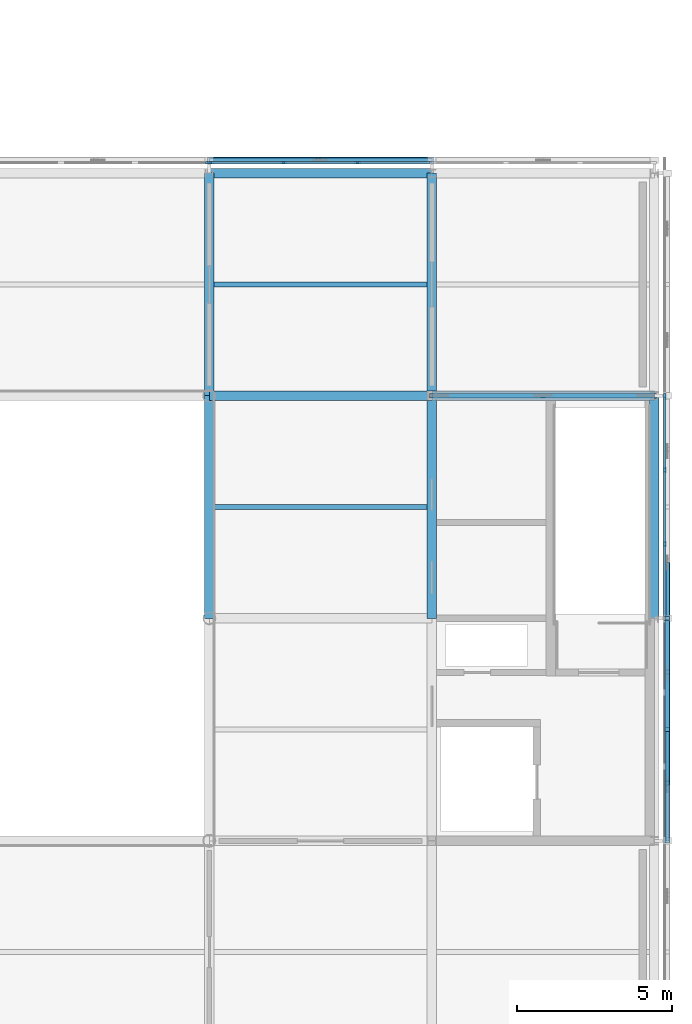
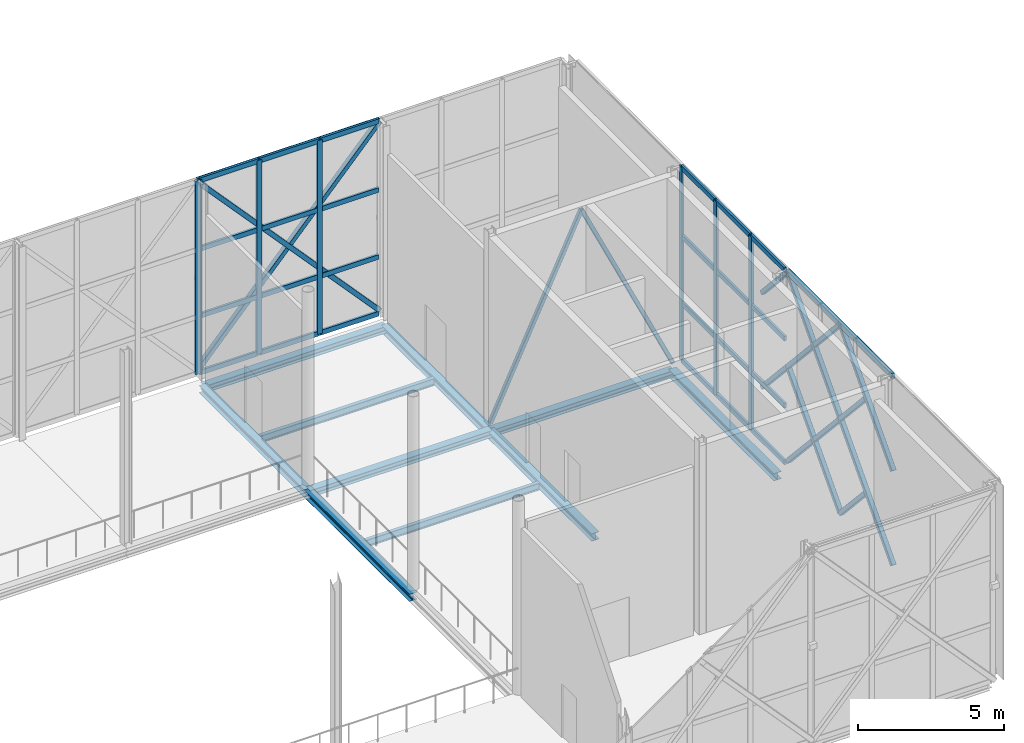
# One storey, part 19 of 76: 50 members, 10 beams, 3 elements without a shape of their own.
"""IFC4 building model written with IfcOpenShell, lengths in metres."""

from ifc_helpers import new_model, si_unit, direction, frame, origin, origin_2d, place, context, subcontext, project, spatial, rectangle, hollow_rectangle, i_section, extrude, material, material_profile, profile_set, type_object, element, aggregate, save


model = new_model("IFC4")

# Units and contexts
model_context = context("Model", 3, precision=1e-05, world=origin(), true_north=direction((0.0, 1.0)))
body_context = subcontext(model_context, "Body", "Model", "MODEL_VIEW")
ifc_project = project(units=[si_unit("LENGTHUNIT", "METRE"), si_unit("AREAUNIT", "SQUARE_METRE"), si_unit("VOLUMEUNIT", "CUBIC_METRE"), si_unit("PLANEANGLEUNIT", "RADIAN"), si_unit("MASSUNIT", "GRAM", prefix="KILO")], contexts=[model_context])

# Site, building, storey
site_placement = place(None, origin())
site = spatial("IfcSite", under=ifc_project, at=site_placement, CompositionType="ELEMENT")
building_placement = place(site_placement, origin())
building = spatial("IfcBuilding", under=site, at=building_placement, Name="Zlatovets Crest Museum", CompositionType="ELEMENT")
storey_placement = place(building_placement, frame((0.0, 0.0, 17.10009765625)))
storey = spatial("IfcBuildingStorey", under=building, at=storey_placement, Name="L04", CompositionType="ELEMENT", Elevation=17.10009765625)

# Beams
ifc_material_1 = material(Name="Structural steel S355J2", Category="steel")
ifc_material_profile_1 = material_profile(ifc_material_1, i_section(OverallWidth=0.300048828125, OverallDepth=0.31005859375, WebThickness=0.009033203125, FlangeThickness=0.015380859375, FilletRadius=0.027099609375, at=origin_2d()), Name="HEA 320")
ifc_profile_set_1 = profile_set([ifc_material_profile_1], Name="Structural steel S355J2")
beam_type_1 = type_object("IfcBeamType", Name="Beam_B-04", PredefinedType="BEAM", material=ifc_profile_set_1)
beam_1_placement = place(storey_placement, frame((93.60009765625, 14.39990234375, -0.39501953125), z_axis=(0.0, 1.0, 0.0), x_axis=(-1.0, 0.0, 0.0)))
element("IfcBeam", 1, at=beam_1_placement, inside=storey, type_object=beam_type_1, Name="V2 L04 Grid Beam B-04", PredefinedType="BEAM", context=body_context, shape_type="SweptSolid", body=[
    extrude(i_section(OverallWidth=0.300048828125, OverallDepth=0.31005859375, WebThickness=0.009033203125, FlangeThickness=0.015380859375, FilletRadius=0.027099609375, at=origin_2d()), origin(), (0.0, 0.0, 1.0), 7.2001953125),
])
beam_2_placement = place(storey_placement, frame((93.60009765625, 21.60009765625, -0.39501953125), z_axis=(0.0, 1.0, 0.0), x_axis=(-1.0, 0.0, 0.0)))
element("IfcBeam", 2, at=beam_2_placement, inside=storey, type_object=beam_type_1, Name="V2 L04 Grid Beam B-04", PredefinedType="BEAM", context=body_context, shape_type="SweptSolid", body=[
    extrude(i_section(OverallWidth=0.300048828125, OverallDepth=0.31005859375, WebThickness=0.009033203125, FlangeThickness=0.015380859375, FilletRadius=0.027099609375, at=origin_2d()), origin(), (0.0, 0.0, 1.0), 7.199951171875),
])
beam_3_placement = place(storey_placement, frame((100.800048828125, 14.39990234375, -0.39501953125), z_axis=(0.0, 1.0, 0.0), x_axis=(-1.0, 0.0, 0.0)))
element("IfcBeam", 3, at=beam_3_placement, inside=storey, type_object=beam_type_1, Name="V2 L04 Grid Beam B-04", PredefinedType="BEAM", context=body_context, shape_type="SweptSolid", body=[
    extrude(i_section(OverallWidth=0.300048828125, OverallDepth=0.31005859375, WebThickness=0.009033203125, FlangeThickness=0.015380859375, FilletRadius=0.027099609375, at=origin_2d()), origin(), (0.0, 0.0, 1.0), 7.2001953125),
])
beam_4_placement = place(storey_placement, frame((100.800048828125, 21.60009765625, -0.39501953125), z_axis=(0.0, 1.0, 0.0), x_axis=(-1.0, 0.0, 0.0)))
element("IfcBeam", 4, at=beam_4_placement, inside=storey, type_object=beam_type_1, Name="V2 L04 Grid Beam B-04", PredefinedType="BEAM", context=body_context, shape_type="SweptSolid", body=[
    extrude(i_section(OverallWidth=0.300048828125, OverallDepth=0.31005859375, WebThickness=0.009033203125, FlangeThickness=0.015380859375, FilletRadius=0.027099609375, at=origin_2d()), origin(), (0.0, 0.0, 1.0), 7.199951171875),
])
beam_5_placement = place(storey_placement, frame((108.0, 14.39990234375, -0.39501953125), z_axis=(0.0, 1.0, 0.0), x_axis=(-1.0, 0.0, 0.0)))
element("IfcBeam", 5, at=beam_5_placement, inside=storey, type_object=beam_type_1, Name="V2 L04 Grid Beam B-04", PredefinedType="BEAM", context=body_context, shape_type="SweptSolid", body=[
    extrude(i_section(OverallWidth=0.300048828125, OverallDepth=0.31005859375, WebThickness=0.009033203125, FlangeThickness=0.015380859375, FilletRadius=0.027099609375, at=origin_2d()), origin(), (0.0, 0.0, 1.0), 7.2001953125),
])
ifc_material_profile_2 = material_profile(ifc_material_1, i_section(OverallWidth=0.300048828125, OverallDepth=0.2900390625, WebThickness=0.008544921875, FlangeThickness=0.013916015625, FilletRadius=0.027099609375, at=origin_2d()), Name="HEA 300")
ifc_profile_set_2 = profile_set([ifc_material_profile_2], Name="Structural steel S355J2")
beam_type_2 = type_object("IfcBeamType", Name="Beam_B-12", PredefinedType="BEAM", material=ifc_profile_set_2)
for number, where, z_axis, x_axis, name in (
    (6, (93.60009765625, 21.60009765625, -0.385009765625), (1.0, 0.0, 0.0), (0.0, 1.0, 0.0), "V2 L04 Primary Girder B-12"),
    (7, (100.800048828125, 21.60009765625, -0.385009765625), (1.0, 0.0, 0.0), (0.0, 1.0, 0.0), "V2 L04 Primary Girder B-12"),
    (8, (93.60009765625, 28.800048828125, -0.385009765625), (1.0, 0.0, 0.0), (0.0, 1.0, 0.0), "V2 L04 Primary Girder B-12"),
):
    element("IfcBeam", number, at=place(storey_placement, frame(where, z_axis=z_axis, x_axis=x_axis)), inside=storey, type_object=beam_type_2, Name=name, PredefinedType="BEAM", context=body_context, shape_type="SweptSolid", body=[
        extrude(i_section(OverallWidth=0.300048828125, OverallDepth=0.2900390625, WebThickness=0.008544921875, FlangeThickness=0.013916015625, FilletRadius=0.027099609375, at=origin_2d()), origin(), (0.0, 0.0, 1.0), 7.199951171875),
    ])
ifc_material_profile_3 = material_profile(ifc_material_1, i_section(OverallWidth=0.14990234375, OverallDepth=0.300048828125, WebThickness=0.007080078125, FlangeThickness=0.0107421875, FilletRadius=0.014892578125, at=origin_2d()), Name="IPE 300")
ifc_profile_set_3 = profile_set([ifc_material_profile_3], Name="Structural steel S355J2")
beam_type_3 = type_object("IfcBeamType", Name="Beam_J-02", PredefinedType="JOIST", material=ifc_profile_set_3)
for number, where, z_axis, x_axis, name in (
    (9, (93.75, 18.0, -0.39013671875), (1.0, 0.0, 0.0), (0.0, 1.0, 0.0), "V2 L04 Composite Joist J-02"),
    (10, (93.75, 25.199951171875, -0.39013671875), (1.0, 0.0, 0.0), (0.0, 1.0, 0.0), "V2 L04 Composite Joist J-02"),
):
    element("IfcBeam", number, at=place(storey_placement, frame(where, z_axis=z_axis, x_axis=x_axis)), inside=storey, type_object=beam_type_3, Name=name, PredefinedType="JOIST", context=body_context, shape_type="SweptSolid", body=[
        extrude(i_section(OverallWidth=0.14990234375, OverallDepth=0.300048828125, WebThickness=0.007080078125, FlangeThickness=0.0107421875, FilletRadius=0.014892578125, at=origin_2d()), origin(), (0.0, 0.0, 1.0), 6.89990234375),
    ])

# Curtain wall, members
ifc_material_2 = material(Name="Bronze-anodised aluminium and low-E triple glass", Category="aluminium")
curtain_wall_type_1 = type_object("IfcCurtainWallType", Name="CW_CW-V2-L04-M1", PredefinedType="NOTDEFINED", material=ifc_material_2)
curtain_wall_1_placement = place(storey_placement, origin())
curtain_wall_1 = element("IfcCurtainWall", 11, at=curtain_wall_1_placement, inside=storey, type_object=curtain_wall_type_1, Name="V2 L04 Expressed Core Glazed Facade", PredefinedType="NOTDEFINED")
ifc_material_3 = material(Name="Bronze-anodised aluminium EN AW-6060", Category="aluminium")
ifc_material_profile_4 = material_profile(ifc_material_3, rectangle(XDim=0.090087890625, YDim=0.199951171875, at=origin_2d()), Name="ALU 90x200")
ifc_profile_set_4 = profile_set([ifc_material_profile_4], Name="Bronze-anodised aluminium EN AW-6060")
member_type_1 = type_object("IfcMemberType", Name="CWMull_M2", PredefinedType="MULLION", material=ifc_profile_set_4)
member_1_placement = place(storey_placement, frame((108.340087890625, 16.800048828125, 0.0), z_axis=(0.0, 0.0, 1.0), x_axis=(-1.0, 0.0, 0.0)))
member_1 = element("IfcMember", 12, at=member_1_placement, type_object=member_type_1, Name="CW-V2-L04-M1 mullion 2", PredefinedType="MULLION", context=body_context, shape_type="SweptSolid", body=[
    extrude(rectangle(XDim=0.090087890625, YDim=0.199951171875, at=origin_2d()), origin(), (0.0, 0.0, 1.0), 8.099853515625),
])
member_2_placement = place(storey_placement, frame((108.340087890625, 19.199951171875, 0.0), z_axis=(0.0, 0.0, 1.0), x_axis=(-1.0, 0.0, 0.0)))
member_2 = element("IfcMember", 13, at=member_2_placement, type_object=member_type_1, Name="CW-V2-L04-M1 mullion 3", PredefinedType="MULLION", context=body_context, shape_type="SweptSolid", body=[
    extrude(rectangle(XDim=0.090087890625, YDim=0.199951171875, at=origin_2d()), origin(), (0.0, 0.0, 1.0), 8.099853515625),
])
member_3_placement = place(storey_placement, frame((108.340087890625, 21.570068359375, 0.0), z_axis=(0.0, 0.0, 1.0), x_axis=(-1.0, 0.0, 0.0)))
member_3 = element("IfcMember", 14, at=member_3_placement, type_object=member_type_1, Name="CW-V2-L04-M1 mullion 4", PredefinedType="MULLION", context=body_context, shape_type="SweptSolid", body=[
    extrude(rectangle(XDim=0.090087890625, YDim=0.199951171875, at=origin_2d()), origin(), (0.0, 0.0, 1.0), 8.099853515625),
])

curtain_wall_type_2 = type_object("IfcCurtainWallType", Name="CW_CW-V2-L04-M0", PredefinedType="NOTDEFINED", material=ifc_material_2)
curtain_wall_2_placement = place(storey_placement, origin())
curtain_wall_2 = element("IfcCurtainWall", 15, at=curtain_wall_2_placement, inside=storey, type_object=curtain_wall_type_2, Name="V2 L04 Secession Foyer Clear Curtain Wall", PredefinedType="NOTDEFINED")
member_4_placement = place(storey_placement, frame((98.39990234375, 29.139892578125, 0.0), z_axis=(0.0, 0.0, 1.0), x_axis=(0.0, -1.0, 0.0)))
member_4 = element("IfcMember", 16, at=member_4_placement, type_object=member_type_1, Name="CW-V2-L04-M0 mullion 2", PredefinedType="MULLION", context=body_context, shape_type="SweptSolid", body=[
    extrude(rectangle(XDim=0.090087890625, YDim=0.199951171875, at=origin_2d()), origin(), (0.0, 0.0, 1.0), 8.099853515625),
])
member_5_placement = place(storey_placement, frame((96.0, 29.139892578125, 0.0), z_axis=(0.0, 0.0, 1.0), x_axis=(0.0, -1.0, 0.0)))
member_5 = element("IfcMember", 17, at=member_5_placement, type_object=member_type_1, Name="CW-V2-L04-M0 mullion 3", PredefinedType="MULLION", context=body_context, shape_type="SweptSolid", body=[
    extrude(rectangle(XDim=0.090087890625, YDim=0.199951171875, at=origin_2d()), origin(), (0.0, 0.0, 1.0), 8.099853515625),
])
member_6_placement = place(storey_placement, frame((93.6298828125, 29.139892578125, 0.0), z_axis=(0.0, 0.0, 1.0), x_axis=(0.0, -1.0, 0.0)))
member_6 = element("IfcMember", 18, at=member_6_placement, type_object=member_type_1, Name="CW-V2-L04-M0 mullion 4", PredefinedType="MULLION", context=body_context, shape_type="SweptSolid", body=[
    extrude(rectangle(XDim=0.090087890625, YDim=0.199951171875, at=origin_2d()), origin(), (0.0, 0.0, 1.0), 8.099853515625),
])

# Curtain wall, member
curtain_wall_3_placement = place(storey_placement, origin())
curtain_wall_3 = element("IfcCurtainWall", 19, at=curtain_wall_3_placement, inside=storey, type_object=curtain_wall_type_1, Name="V2 L04 Secession Foyer Clear Curtain Wall", PredefinedType="NOTDEFINED")
member_7_placement = place(storey_placement, frame((93.570068359375, 29.139892578125, 0.0), z_axis=(0.0, 0.0, 1.0), x_axis=(0.0, -1.0, 0.0)))
member_7 = element("IfcMember", 20, at=member_7_placement, type_object=member_type_1, Name="CW-V2-L04-M1 mullion 1", PredefinedType="MULLION", context=body_context, shape_type="SweptSolid", body=[
    extrude(rectangle(XDim=0.090087890625, YDim=0.199951171875, at=origin_2d()), origin(), (0.0, 0.0, 1.0), 8.099853515625),
])
aggregate(curtain_wall_3, [member_7])

# Member
ifc_material_profile_5 = material_profile(ifc_material_3, rectangle(XDim=0.090087890625, YDim=0.199951171875, at=origin_2d()), Name="ALU 90x200")
ifc_profile_set_5 = profile_set([ifc_material_profile_5], Name="Bronze-anodised aluminium EN AW-6060")
member_type_2 = type_object("IfcMemberType", Name="CWTrans_T2", PredefinedType="USERDEFINED", material=ifc_profile_set_5)
member_8_placement = place(storey_placement, frame((108.340087890625, 14.4599609375, 0.02978515625), z_axis=(0.0, 1.0, 0.0), x_axis=(-1.0, 0.0, 0.0)))
member_8 = element("IfcMember", 21, at=member_8_placement, type_object=member_type_2, Name="CW-V2-L04-M1 transom 1.1", ObjectType="TRANSOM", PredefinedType="USERDEFINED", context=body_context, shape_type="SweptSolid", body=[
    extrude(rectangle(XDim=0.090087890625, YDim=0.199951171875, at=origin_2d()), origin(), (0.0, 0.0, 1.0), 2.31005859375),
])

member_9_placement = place(storey_placement, frame((108.340087890625, 14.4599609375, 2.39990234375), z_axis=(0.0, 1.0, 0.0), x_axis=(-1.0, 0.0, 0.0)))
member_9 = element("IfcMember", 22, at=member_9_placement, type_object=member_type_2, Name="CW-V2-L04-M1 transom 1.2", ObjectType="TRANSOM", PredefinedType="USERDEFINED", context=body_context, shape_type="SweptSolid", body=[
    extrude(rectangle(XDim=0.090087890625, YDim=0.199951171875, at=origin_2d()), origin(), (0.0, 0.0, 1.0), 2.31005859375),
])

member_10_placement = place(storey_placement, frame((108.340087890625, 14.4599609375, 5.199951171875), z_axis=(0.0, 1.0, 0.0), x_axis=(-1.0, 0.0, 0.0)))
member_10 = element("IfcMember", 23, at=member_10_placement, type_object=member_type_2, Name="CW-V2-L04-M1 transom 1.3", ObjectType="TRANSOM", PredefinedType="USERDEFINED", context=body_context, shape_type="SweptSolid", body=[
    extrude(rectangle(XDim=0.090087890625, YDim=0.199951171875, at=origin_2d()), origin(), (0.0, 0.0, 1.0), 2.31005859375),
])

member_11_placement = place(storey_placement, frame((108.340087890625, 14.4599609375, 8.06982421875), z_axis=(0.0, 1.0, 0.0), x_axis=(-1.0, 0.0, 0.0)))
member_11 = element("IfcMember", 24, at=member_11_placement, type_object=member_type_2, Name="CW-V2-L04-M1 transom 1.4", ObjectType="TRANSOM", PredefinedType="USERDEFINED", context=body_context, shape_type="SweptSolid", body=[
    extrude(rectangle(XDim=0.090087890625, YDim=0.199951171875, at=origin_2d()), origin(), (0.0, 0.0, 1.0), 2.31005859375),
])

member_12_placement = place(storey_placement, frame((108.340087890625, 16.830078125, 0.02978515625), z_axis=(0.0, 1.0, 0.0), x_axis=(-1.0, 0.0, 0.0)))
member_12 = element("IfcMember", 25, at=member_12_placement, type_object=member_type_2, Name="CW-V2-L04-M1 transom 2.1", ObjectType="TRANSOM", PredefinedType="USERDEFINED", context=body_context, shape_type="SweptSolid", body=[
    extrude(rectangle(XDim=0.090087890625, YDim=0.199951171875, at=origin_2d()), origin(), (0.0, 0.0, 1.0), 2.33984375),
])

member_13_placement = place(storey_placement, frame((108.340087890625, 16.830078125, 2.39990234375), z_axis=(0.0, 1.0, 0.0), x_axis=(-1.0, 0.0, 0.0)))
member_13 = element("IfcMember", 26, at=member_13_placement, type_object=member_type_2, Name="CW-V2-L04-M1 transom 2.2", ObjectType="TRANSOM", PredefinedType="USERDEFINED", context=body_context, shape_type="SweptSolid", body=[
    extrude(rectangle(XDim=0.090087890625, YDim=0.199951171875, at=origin_2d()), origin(), (0.0, 0.0, 1.0), 2.33984375),
])

member_14_placement = place(storey_placement, frame((108.340087890625, 16.830078125, 5.199951171875), z_axis=(0.0, 1.0, 0.0), x_axis=(-1.0, 0.0, 0.0)))
member_14 = element("IfcMember", 27, at=member_14_placement, type_object=member_type_2, Name="CW-V2-L04-M1 transom 2.3", ObjectType="TRANSOM", PredefinedType="USERDEFINED", context=body_context, shape_type="SweptSolid", body=[
    extrude(rectangle(XDim=0.090087890625, YDim=0.199951171875, at=origin_2d()), origin(), (0.0, 0.0, 1.0), 2.33984375),
])

member_15_placement = place(storey_placement, frame((108.340087890625, 16.830078125, 8.06982421875), z_axis=(0.0, 1.0, 0.0), x_axis=(-1.0, 0.0, 0.0)))
member_15 = element("IfcMember", 28, at=member_15_placement, type_object=member_type_2, Name="CW-V2-L04-M1 transom 2.4", ObjectType="TRANSOM", PredefinedType="USERDEFINED", context=body_context, shape_type="SweptSolid", body=[
    extrude(rectangle(XDim=0.090087890625, YDim=0.199951171875, at=origin_2d()), origin(), (0.0, 0.0, 1.0), 2.33984375),
])

member_16_placement = place(storey_placement, frame((108.340087890625, 19.22998046875, 0.02978515625), z_axis=(0.0, 1.0, 0.0), x_axis=(-1.0, 0.0, 0.0)))
member_16 = element("IfcMember", 29, at=member_16_placement, type_object=member_type_2, Name="CW-V2-L04-M1 transom 3.1", ObjectType="TRANSOM", PredefinedType="USERDEFINED", context=body_context, shape_type="SweptSolid", body=[
    extrude(rectangle(XDim=0.090087890625, YDim=0.199951171875, at=origin_2d()), origin(), (0.0, 0.0, 1.0), 2.31005859375),
])

member_17_placement = place(storey_placement, frame((108.340087890625, 19.22998046875, 2.39990234375), z_axis=(0.0, 1.0, 0.0), x_axis=(-1.0, 0.0, 0.0)))
member_17 = element("IfcMember", 30, at=member_17_placement, type_object=member_type_2, Name="CW-V2-L04-M1 transom 3.2", ObjectType="TRANSOM", PredefinedType="USERDEFINED", context=body_context, shape_type="SweptSolid", body=[
    extrude(rectangle(XDim=0.090087890625, YDim=0.199951171875, at=origin_2d()), origin(), (0.0, 0.0, 1.0), 2.31005859375),
])

member_18_placement = place(storey_placement, frame((108.340087890625, 19.22998046875, 5.199951171875), z_axis=(0.0, 1.0, 0.0), x_axis=(-1.0, 0.0, 0.0)))
member_18 = element("IfcMember", 31, at=member_18_placement, type_object=member_type_2, Name="CW-V2-L04-M1 transom 3.3", ObjectType="TRANSOM", PredefinedType="USERDEFINED", context=body_context, shape_type="SweptSolid", body=[
    extrude(rectangle(XDim=0.090087890625, YDim=0.199951171875, at=origin_2d()), origin(), (0.0, 0.0, 1.0), 2.31005859375),
])

member_19_placement = place(storey_placement, frame((108.340087890625, 19.22998046875, 8.06982421875), z_axis=(0.0, 1.0, 0.0), x_axis=(-1.0, 0.0, 0.0)))
member_19 = element("IfcMember", 32, at=member_19_placement, type_object=member_type_2, Name="CW-V2-L04-M1 transom 3.4", ObjectType="TRANSOM", PredefinedType="USERDEFINED", context=body_context, shape_type="SweptSolid", body=[
    extrude(rectangle(XDim=0.090087890625, YDim=0.199951171875, at=origin_2d()), origin(), (0.0, 0.0, 1.0), 2.31005859375),
])

aggregate(curtain_wall_1, [member_1, member_2, member_3, member_8, member_9, member_10, member_11, member_12, member_13, member_14, member_15, member_16, member_17, member_18, member_19])

member_20_placement = place(storey_placement, frame((100.739990234375, 29.139892578125, 0.02978515625), z_axis=(-1.0, 0.0, 0.0), x_axis=(0.0, -1.0, 0.0)))
member_20 = element("IfcMember", 33, at=member_20_placement, type_object=member_type_2, Name="CW-V2-L04-M0 transom 1.1", ObjectType="TRANSOM", PredefinedType="USERDEFINED", context=body_context, shape_type="SweptSolid", body=[
    extrude(rectangle(XDim=0.090087890625, YDim=0.199951171875, at=origin_2d()), origin(), (0.0, 0.0, 1.0), 2.31005859375),
])

member_21_placement = place(storey_placement, frame((100.739990234375, 29.139892578125, 2.39990234375), z_axis=(-1.0, 0.0, 0.0), x_axis=(0.0, -1.0, 0.0)))
member_21 = element("IfcMember", 34, at=member_21_placement, type_object=member_type_2, Name="CW-V2-L04-M0 transom 1.2", ObjectType="TRANSOM", PredefinedType="USERDEFINED", context=body_context, shape_type="SweptSolid", body=[
    extrude(rectangle(XDim=0.090087890625, YDim=0.199951171875, at=origin_2d()), origin(), (0.0, 0.0, 1.0), 2.31005859375),
])

member_22_placement = place(storey_placement, frame((100.739990234375, 29.139892578125, 5.199951171875), z_axis=(-1.0, 0.0, 0.0), x_axis=(0.0, -1.0, 0.0)))
member_22 = element("IfcMember", 35, at=member_22_placement, type_object=member_type_2, Name="CW-V2-L04-M0 transom 1.3", ObjectType="TRANSOM", PredefinedType="USERDEFINED", context=body_context, shape_type="SweptSolid", body=[
    extrude(rectangle(XDim=0.090087890625, YDim=0.199951171875, at=origin_2d()), origin(), (0.0, 0.0, 1.0), 2.31005859375),
])

member_23_placement = place(storey_placement, frame((100.739990234375, 29.139892578125, 8.06982421875), z_axis=(-1.0, 0.0, 0.0), x_axis=(0.0, -1.0, 0.0)))
member_23 = element("IfcMember", 36, at=member_23_placement, type_object=member_type_2, Name="CW-V2-L04-M0 transom 1.4", ObjectType="TRANSOM", PredefinedType="USERDEFINED", context=body_context, shape_type="SweptSolid", body=[
    extrude(rectangle(XDim=0.090087890625, YDim=0.199951171875, at=origin_2d()), origin(), (0.0, 0.0, 1.0), 2.31005859375),
])

member_24_placement = place(storey_placement, frame((98.3701171875, 29.139892578125, 0.02978515625), z_axis=(-1.0, 0.0, 0.0), x_axis=(0.0, -1.0, 0.0)))
member_24 = element("IfcMember", 37, at=member_24_placement, type_object=member_type_2, Name="CW-V2-L04-M0 transom 2.1", ObjectType="TRANSOM", PredefinedType="USERDEFINED", context=body_context, shape_type="SweptSolid", body=[
    extrude(rectangle(XDim=0.090087890625, YDim=0.199951171875, at=origin_2d()), origin(), (0.0, 0.0, 1.0), 2.340087890625),
])

member_25_placement = place(storey_placement, frame((98.3701171875, 29.139892578125, 2.39990234375), z_axis=(-1.0, 0.0, 0.0), x_axis=(0.0, -1.0, 0.0)))
member_25 = element("IfcMember", 38, at=member_25_placement, type_object=member_type_2, Name="CW-V2-L04-M0 transom 2.2", ObjectType="TRANSOM", PredefinedType="USERDEFINED", context=body_context, shape_type="SweptSolid", body=[
    extrude(rectangle(XDim=0.090087890625, YDim=0.199951171875, at=origin_2d()), origin(), (0.0, 0.0, 1.0), 2.340087890625),
])

member_26_placement = place(storey_placement, frame((98.3701171875, 29.139892578125, 5.199951171875), z_axis=(-1.0, 0.0, 0.0), x_axis=(0.0, -1.0, 0.0)))
member_26 = element("IfcMember", 39, at=member_26_placement, type_object=member_type_2, Name="CW-V2-L04-M0 transom 2.3", ObjectType="TRANSOM", PredefinedType="USERDEFINED", context=body_context, shape_type="SweptSolid", body=[
    extrude(rectangle(XDim=0.090087890625, YDim=0.199951171875, at=origin_2d()), origin(), (0.0, 0.0, 1.0), 2.340087890625),
])

member_27_placement = place(storey_placement, frame((98.3701171875, 29.139892578125, 8.06982421875), z_axis=(-1.0, 0.0, 0.0), x_axis=(0.0, -1.0, 0.0)))
member_27 = element("IfcMember", 40, at=member_27_placement, type_object=member_type_2, Name="CW-V2-L04-M0 transom 2.4", ObjectType="TRANSOM", PredefinedType="USERDEFINED", context=body_context, shape_type="SweptSolid", body=[
    extrude(rectangle(XDim=0.090087890625, YDim=0.199951171875, at=origin_2d()), origin(), (0.0, 0.0, 1.0), 2.340087890625),
])

member_28_placement = place(storey_placement, frame((95.969970703125, 29.139892578125, 0.02978515625), z_axis=(-1.0, 0.0, 0.0), x_axis=(0.0, -1.0, 0.0)))
member_28 = element("IfcMember", 41, at=member_28_placement, type_object=member_type_2, Name="CW-V2-L04-M0 transom 3.1", ObjectType="TRANSOM", PredefinedType="USERDEFINED", context=body_context, shape_type="SweptSolid", body=[
    extrude(rectangle(XDim=0.090087890625, YDim=0.199951171875, at=origin_2d()), origin(), (0.0, 0.0, 1.0), 2.31005859375),
])

member_29_placement = place(storey_placement, frame((95.969970703125, 29.139892578125, 2.39990234375), z_axis=(-1.0, 0.0, 0.0), x_axis=(0.0, -1.0, 0.0)))
member_29 = element("IfcMember", 42, at=member_29_placement, type_object=member_type_2, Name="CW-V2-L04-M0 transom 3.2", ObjectType="TRANSOM", PredefinedType="USERDEFINED", context=body_context, shape_type="SweptSolid", body=[
    extrude(rectangle(XDim=0.090087890625, YDim=0.199951171875, at=origin_2d()), origin(), (0.0, 0.0, 1.0), 2.31005859375),
])

member_30_placement = place(storey_placement, frame((95.969970703125, 29.139892578125, 5.199951171875), z_axis=(-1.0, 0.0, 0.0), x_axis=(0.0, -1.0, 0.0)))
member_30 = element("IfcMember", 43, at=member_30_placement, type_object=member_type_2, Name="CW-V2-L04-M0 transom 3.3", ObjectType="TRANSOM", PredefinedType="USERDEFINED", context=body_context, shape_type="SweptSolid", body=[
    extrude(rectangle(XDim=0.090087890625, YDim=0.199951171875, at=origin_2d()), origin(), (0.0, 0.0, 1.0), 2.31005859375),
])

member_31_placement = place(storey_placement, frame((95.969970703125, 29.139892578125, 8.06982421875), z_axis=(-1.0, 0.0, 0.0), x_axis=(0.0, -1.0, 0.0)))
member_31 = element("IfcMember", 44, at=member_31_placement, type_object=member_type_2, Name="CW-V2-L04-M0 transom 3.4", ObjectType="TRANSOM", PredefinedType="USERDEFINED", context=body_context, shape_type="SweptSolid", body=[
    extrude(rectangle(XDim=0.090087890625, YDim=0.199951171875, at=origin_2d()), origin(), (0.0, 0.0, 1.0), 2.31005859375),
])

aggregate(curtain_wall_2, [member_4, member_5, member_6, member_20, member_21, member_22, member_23, member_24, member_25, member_26, member_27, member_28, member_29, member_30, member_31])

# Members
ifc_material_4 = material(Name="Weathering bronze-steel S355J2W", Category="steel")
ifc_material_profile_6 = material_profile(ifc_material_4, hollow_rectangle(XDim=0.179931640625, YDim=0.179931640625, WallThickness=0.010009765625, InnerFilletRadius=0.010009765625, OuterFilletRadius=0.02001953125, at=origin_2d()), Name="SHS 180x180x10.0")
ifc_profile_set_6 = profile_set([ifc_material_profile_6], Name="Weathering bronze-steel S355J2W")
member_type_3 = type_object("IfcMemberType", Name="Lattice_XL-01", PredefinedType="BRACE", material=ifc_profile_set_6)
member_32_placement = place(storey_placement, frame((108.419921875, 7.199951171875, 0.099853515625), z_axis=(0.0, 0.673618118362, 0.739079583411), x_axis=(-1.0, 0.0, 0.0)))
element("IfcMember", 45, at=member_32_placement, inside=storey, type_object=member_type_3, Name="Continuous Bronze Lattice Diagonal", PredefinedType="BRACE", context=body_context, shape_type="SweptSolid", body=[
    extrude(hollow_rectangle(XDim=0.179931640625, YDim=0.179931640625, WallThickness=0.010009765625, InnerFilletRadius=0.010009765625, OuterFilletRadius=0.02001953125, at=origin_2d()), origin(), (0.0, 0.0, 1.0), 5.344482421875),
])
member_33_placement = place(storey_placement, frame((108.419921875, 9.06396484375, 2.004638671875), z_axis=(0.0, 0.673619963761, -0.739077901457), x_axis=(-1.0, 0.0, 0.0)))
element("IfcMember", 46, at=member_33_placement, inside=storey, type_object=member_type_3, Name="Split Crossing Bronze Lattice Diagonal Lower", PredefinedType="BRACE", context=body_context, shape_type="SweptSolid", body=[
    extrude(hollow_rectangle(XDim=0.179931640625, YDim=0.179931640625, WallThickness=0.010009765625, InnerFilletRadius=0.010009765625, OuterFilletRadius=0.02001953125, at=origin_2d()), origin(), (0.0, 0.0, 1.0), 2.5771484375),
])
member_34_placement = place(storey_placement, frame((108.419921875, 10.800048828125, 0.099853515625), z_axis=(0.0, 0.673593164257, 0.739102326519), x_axis=(-1.0, 0.0, 0.0)))
element("IfcMember", 47, at=member_34_placement, inside=storey, type_object=member_type_3, Name="Continuous Bronze Lattice Diagonal", PredefinedType="BRACE", context=body_context, shape_type="SweptSolid", body=[
    extrude(hollow_rectangle(XDim=0.179931640625, YDim=0.179931640625, WallThickness=0.010009765625, InnerFilletRadius=0.010009765625, OuterFilletRadius=0.02001953125, at=origin_2d()), origin(), (0.0, 0.0, 1.0), 5.34423828125),
])
for number, where, z_axis, x_axis, name in (
    (48, (108.419921875, 10.800048828125, 4.0498046875), (0.0, 0.673568214247, -0.739125064354), (-1.0, 0.0, 0.0), "Split Crossing Bronze Lattice Diagonal Upper"),
    (49, (108.419921875, 12.6640625, 2.004638671875), (0.0, 0.673568214247, -0.739125064354), (-1.0, 0.0, 0.0), "Split Crossing Bronze Lattice Diagonal Lower"),
):
    element("IfcMember", number, at=place(storey_placement, frame(where, z_axis=z_axis, x_axis=x_axis)), inside=storey, type_object=member_type_3, Name=name, PredefinedType="BRACE", context=body_context, shape_type="SweptSolid", body=[
        extrude(hollow_rectangle(XDim=0.179931640625, YDim=0.179931640625, WallThickness=0.010009765625, InnerFilletRadius=0.010009765625, OuterFilletRadius=0.02001953125, at=origin_2d()), origin(), (0.0, 0.0, 1.0), 2.5771484375),
    ])
member_35_placement = place(storey_placement, frame((108.419921875, 7.199951171875, 4.0498046875), z_axis=(0.0, 0.673595375981, 0.739100310822), x_axis=(-1.0, 0.0, 0.0)))
element("IfcMember", 50, at=member_35_placement, inside=storey, type_object=member_type_3, Name="Continuous Bronze Lattice Diagonal", PredefinedType="BRACE", context=body_context, shape_type="SweptSolid", body=[
    extrude(hollow_rectangle(XDim=0.179931640625, YDim=0.179931640625, WallThickness=0.010009765625, InnerFilletRadius=0.010009765625, OuterFilletRadius=0.02001953125, at=origin_2d()), origin(), (0.0, 0.0, 1.0), 5.344482421875),
])
member_36_placement = place(storey_placement, frame((108.419921875, 9.06396484375, 5.95458984375), z_axis=(0.0, 0.673619963761, -0.739077901457), x_axis=(-1.0, 0.0, 0.0)))
element("IfcMember", 51, at=member_36_placement, inside=storey, type_object=member_type_3, Name="Split Crossing Bronze Lattice Diagonal Lower", PredefinedType="BRACE", context=body_context, shape_type="SweptSolid", body=[
    extrude(hollow_rectangle(XDim=0.179931640625, YDim=0.179931640625, WallThickness=0.010009765625, InnerFilletRadius=0.010009765625, OuterFilletRadius=0.02001953125, at=origin_2d()), origin(), (0.0, 0.0, 1.0), 2.5771484375),
])
member_37_placement = place(storey_placement, frame((108.419921875, 10.800048828125, 4.0498046875), z_axis=(0.0, 0.67357042132, 0.739123053032), x_axis=(-1.0, 0.0, 0.0)))
element("IfcMember", 52, at=member_37_placement, inside=storey, type_object=member_type_3, Name="Continuous Bronze Lattice Diagonal", PredefinedType="BRACE", context=body_context, shape_type="SweptSolid", body=[
    extrude(hollow_rectangle(XDim=0.179931640625, YDim=0.179931640625, WallThickness=0.010009765625, InnerFilletRadius=0.010009765625, OuterFilletRadius=0.02001953125, at=origin_2d()), origin(), (0.0, 0.0, 1.0), 5.344482421875),
])
for number, where, z_axis, x_axis, name in (
    (53, (108.419921875, 10.800048828125, 8.0), (0.0, 0.673568214247, -0.739125064354), (-1.0, 0.0, 0.0), "Split Crossing Bronze Lattice Diagonal Upper"),
    (54, (108.419921875, 12.6640625, 5.95458984375), (0.0, 0.673568214247, -0.739125064354), (-1.0, 0.0, 0.0), "Split Crossing Bronze Lattice Diagonal Lower"),
    (55, (108.419921875, 14.39990234375, 4.0498046875), (0.0, 0.673619963761, -0.739077901457), (-1.0, 0.0, 0.0), "Split Crossing Bronze Lattice Diagonal Upper"),
    (56, (108.419921875, 14.39990234375, 8.0), (0.0, 0.673619963761, -0.739077901457), (-1.0, 0.0, 0.0), "Split Crossing Bronze Lattice Diagonal Upper"),
):
    element("IfcMember", number, at=place(storey_placement, frame(where, z_axis=z_axis, x_axis=x_axis)), inside=storey, type_object=member_type_3, Name=name, PredefinedType="BRACE", context=body_context, shape_type="SweptSolid", body=[
        extrude(hollow_rectangle(XDim=0.179931640625, YDim=0.179931640625, WallThickness=0.010009765625, InnerFilletRadius=0.010009765625, OuterFilletRadius=0.02001953125, at=origin_2d()), origin(), (0.0, 0.0, 1.0), 2.5771484375),
    ])
ifc_material_profile_7 = material_profile(ifc_material_4, hollow_rectangle(XDim=0.199951171875, YDim=0.199951171875, WallThickness=0.012451171875, InnerFilletRadius=0.012451171875, OuterFilletRadius=0.02490234375, at=origin_2d()), Name="SHS 200x200x12.5")
ifc_profile_set_7 = profile_set([ifc_material_profile_7], Name="Weathering bronze-steel S355J2W")
member_type_4 = type_object("IfcMemberType", Name="Lattice_XL-02", PredefinedType="BRACE", material=ifc_profile_set_7)
member_38_placement = place(storey_placement, frame((100.800048828125, 29.219970703125, 0.099853515625), z_axis=(-0.673594270156, 0.0, 0.739101318639), x_axis=(0.0, -1.0, 0.0)))
element("IfcMember", 57, at=member_38_placement, inside=storey, type_object=member_type_4, Name="Continuous Bronze Lattice Diagonal", PredefinedType="BRACE", context=body_context, shape_type="SweptSolid", body=[
    extrude(hollow_rectangle(XDim=0.199951171875, YDim=0.199951171875, WallThickness=0.012451171875, InnerFilletRadius=0.012451171875, OuterFilletRadius=0.02490234375, at=origin_2d()), origin(), (0.0, 0.0, 1.0), 10.68896484375),
])
member_39_placement = place(storey_placement, frame((100.800048828125, 29.219970703125, 8.0), z_axis=(-0.673607447357, 0.0, -0.739089309127), x_axis=(0.0, -1.0, 0.0)))
element("IfcMember", 58, at=member_39_placement, inside=storey, type_object=member_type_4, Name="Split Crossing Bronze Lattice Diagonal Upper", PredefinedType="BRACE", context=body_context, shape_type="SweptSolid", body=[
    extrude(hollow_rectangle(XDim=0.199951171875, YDim=0.199951171875, WallThickness=0.012451171875, InnerFilletRadius=0.012451171875, OuterFilletRadius=0.02490234375, at=origin_2d()), origin(), (0.0, 0.0, 1.0), 5.24951171875),
])
member_40_placement = place(storey_placement, frame((97.135986328125, 29.219970703125, 3.979736328125), z_axis=(-0.673582041572, 0.0, -0.73911246321), x_axis=(0.0, -1.0, 0.0)))
element("IfcMember", 59, at=member_40_placement, inside=storey, type_object=member_type_4, Name="Split Crossing Bronze Lattice Diagonal Lower", PredefinedType="BRACE", context=body_context, shape_type="SweptSolid", body=[
    extrude(hollow_rectangle(XDim=0.199951171875, YDim=0.199951171875, WallThickness=0.012451171875, InnerFilletRadius=0.012451171875, OuterFilletRadius=0.02490234375, at=origin_2d()), origin(), (0.0, 0.0, 1.0), 5.249267578125),
])
ifc_material_profile_8 = material_profile(ifc_material_4, hollow_rectangle(XDim=0.1201171875, YDim=0.239990234375, WallThickness=0.010009765625, InnerFilletRadius=0.010009765625, OuterFilletRadius=0.02001953125, at=origin_2d()), Name="RHS 120x240x10.0")
ifc_profile_set_8 = profile_set([ifc_material_profile_8], Name="Weathering bronze-steel S355J2W")
member_type_5 = type_object("IfcMemberType", Name="Lattice_XL-04", PredefinedType="CHORD", material=ifc_profile_set_8)
for number, where, z_axis, x_axis, name in (
    (60, (108.419921875, 7.199951171875, 8.0), (0.0, 1.0, 0.0), (-1.0, 0.0, 0.0), "Art Nouveau Woven Cage Collector Ring Chord"),
    (61, (100.800048828125, 29.219970703125, 8.0), (-1.0, 0.0, 0.0), (0.0, -1.0, 0.0), "Art Nouveau Woven Cage Collector Ring Chord"),
):
    element("IfcMember", number, at=place(storey_placement, frame(where, z_axis=z_axis, x_axis=x_axis)), inside=storey, type_object=member_type_5, Name=name, PredefinedType="CHORD", context=body_context, shape_type="SweptSolid", body=[
        extrude(hollow_rectangle(XDim=0.1201171875, YDim=0.239990234375, WallThickness=0.010009765625, InnerFilletRadius=0.010009765625, OuterFilletRadius=0.02001953125, at=origin_2d()), origin(), (0.0, 0.0, 1.0), 7.199951171875),
    ])
ifc_material_profile_9 = material_profile(ifc_material_1, hollow_rectangle(XDim=0.14990234375, YDim=0.14990234375, WallThickness=0.008056640625, InnerFilletRadius=0.008056640625, OuterFilletRadius=0.01611328125, at=origin_2d()), Name="SHS 150x150x8.0")
ifc_profile_set_9 = profile_set([ifc_material_profile_9], Name="Structural steel S355J2")
member_type_6 = type_object("IfcMemberType", Name="Member_BR-04", PredefinedType="BRACE", material=ifc_profile_set_9)
for number, where, z_axis, x_axis, name in (
    (62, (100.800048828125, 21.60009765625, 0.0), (0.425787301659, 0.0, 0.904823283159), (0.0, 1.0, 0.0), "V2 L04 Concentric Seismic Brace"),
    (63, (108.0, 21.60009765625, 0.0), (-0.425810942746, 0.0, 0.904812157874), (0.0, -1.0, 0.0), "V2 L04 Concentric Seismic Brace"),
):
    element("IfcMember", number, at=place(storey_placement, frame(where, z_axis=z_axis, x_axis=x_axis)), inside=storey, type_object=member_type_6, Name=name, PredefinedType="BRACE", context=body_context, shape_type="SweptSolid", body=[
        extrude(hollow_rectangle(XDim=0.14990234375, YDim=0.14990234375, WallThickness=0.008056640625, InnerFilletRadius=0.008056640625, OuterFilletRadius=0.01611328125, at=origin_2d()), origin(), (0.0, 0.0, 1.0), 8.45458984375),
    ])

save(model, "model.ifc")
